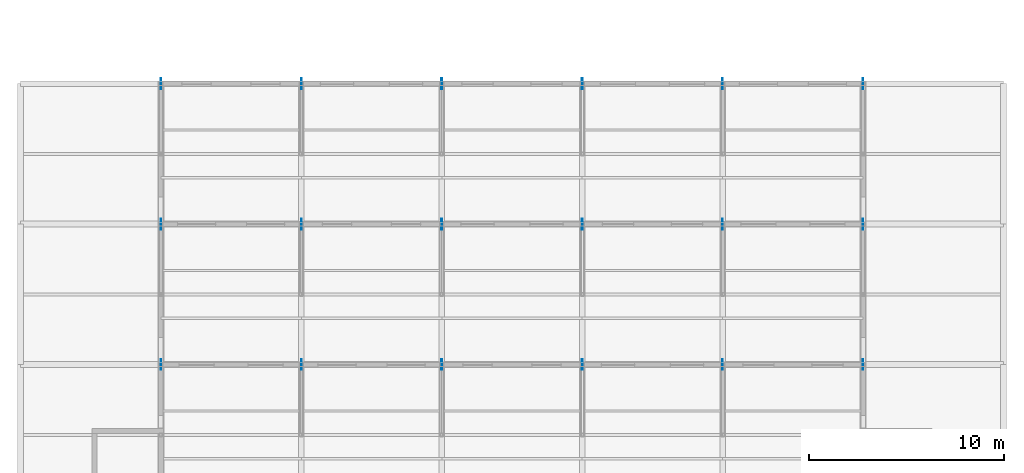
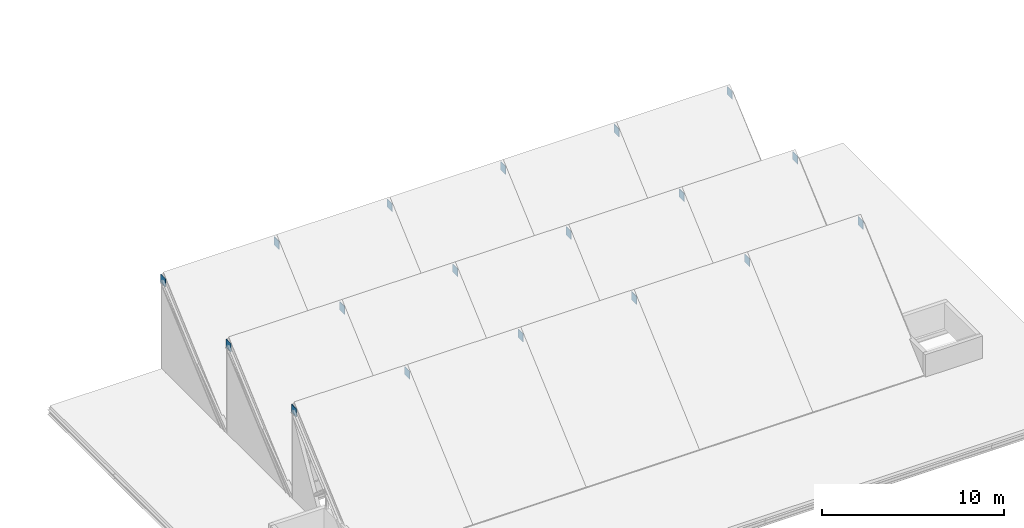
# One storey, part 20 of 31: 18 plates.
"""IFC4 building model written with IfcOpenShell, lengths in metres."""

from ifc_helpers import new_model, si_unit, direction, frame, origin, origin_2d, place, context, subcontext, project, spatial, rectangle, extrude, material, layer, layer_set, type_object, element, save


model = new_model("IFC4")

# Units and contexts
model_context = context("Model", 3, precision=1e-05, world=origin(), true_north=direction((0.0, 1.0)))
body_context = subcontext(model_context, "Body", "Model", "MODEL_VIEW")
ifc_project = project(units=[si_unit("LENGTHUNIT", "METRE"), si_unit("AREAUNIT", "SQUARE_METRE"), si_unit("VOLUMEUNIT", "CUBIC_METRE"), si_unit("PLANEANGLEUNIT", "RADIAN"), si_unit("MASSUNIT", "GRAM", prefix="KILO")], contexts=[model_context])

# Site, building, storey
site_placement = place(None, origin())
site = spatial("IfcSite", under=ifc_project, at=site_placement, CompositionType="ELEMENT")
building_placement = place(site_placement, origin())
building = spatial("IfcBuilding", under=site, at=building_placement, Name="Zlatovets Crest Museum", CompositionType="ELEMENT")
storey_placement = place(building_placement, frame((0.0, 0.0, 25.199951171875)))
storey = spatial("IfcBuildingStorey", under=building, at=storey_placement, Name="L05", CompositionType="ELEMENT", Elevation=25.199951171875)

# Plates
ifc_material = material(Name="Structural steel S355J2", Category="steel")
ifc_layer = layer(ifc_material, 0.030029296875)
ifc_layer_set = layer_set([ifc_layer], Name="Structural steel S355J2")
plate_type = type_object("IfcPlateType", Name="Gusset_GP-02", PredefinedType="USERDEFINED", material=ifc_layer_set)
for number, where, z_axis, x_axis, name in (
    (1, (64.800048828125, 14.39990234375, 5.61083984375), (0.0, 0.0, 1.0), (1.0, 0.0, 0.0), "V2 Sawtooth Tooth 1 Apex Gusset"),
    (2, (64.800048828125, 21.60009765625, 5.61083984375), (0.0, 0.0, 1.0), (1.0, 0.0, 0.0), "V2 Sawtooth Tooth 2 Apex Gusset"),
    (3, (64.800048828125, 28.800048828125, 5.61083984375), (0.0, 0.0, 1.0), (1.0, 0.0, 0.0), "V2 Sawtooth Tooth 3 Apex Gusset"),
    (4, (72.0, 14.39990234375, 5.61083984375), (0.0, 0.0, 1.0), (1.0, 0.0, 0.0), "V2 Sawtooth Tooth 1 Apex Gusset"),
    (5, (72.0, 21.60009765625, 5.61083984375), (0.0, 0.0, 1.0), (1.0, 0.0, 0.0), "V2 Sawtooth Tooth 2 Apex Gusset"),
    (6, (72.0, 28.800048828125, 5.61083984375), (0.0, 0.0, 1.0), (1.0, 0.0, 0.0), "V2 Sawtooth Tooth 3 Apex Gusset"),
    (7, (79.199951171875, 14.39990234375, 5.61083984375), (0.0, 0.0, 1.0), (1.0, 0.0, 0.0), "V2 Sawtooth Tooth 1 Apex Gusset"),
    (8, (79.199951171875, 21.60009765625, 5.61083984375), (0.0, 0.0, 1.0), (1.0, 0.0, 0.0), "V2 Sawtooth Tooth 2 Apex Gusset"),
    (9, (79.199951171875, 28.800048828125, 5.61083984375), (0.0, 0.0, 1.0), (1.0, 0.0, 0.0), "V2 Sawtooth Tooth 3 Apex Gusset"),
    (10, (86.39990234375, 14.39990234375, 5.61083984375), (0.0, 0.0, 1.0), (1.0, 0.0, 0.0), "V2 Sawtooth Tooth 1 Apex Gusset"),
    (11, (86.39990234375, 21.60009765625, 5.61083984375), (0.0, 0.0, 1.0), (1.0, 0.0, 0.0), "V2 Sawtooth Tooth 2 Apex Gusset"),
    (12, (86.39990234375, 28.800048828125, 5.61083984375), (0.0, 0.0, 1.0), (1.0, 0.0, 0.0), "V2 Sawtooth Tooth 3 Apex Gusset"),
    (13, (93.60009765625, 14.39990234375, 5.61083984375), (0.0, 0.0, 1.0), (1.0, 0.0, 0.0), "V2 Sawtooth Tooth 1 Apex Gusset"),
    (14, (93.60009765625, 21.60009765625, 5.61083984375), (0.0, 0.0, 1.0), (1.0, 0.0, 0.0), "V2 Sawtooth Tooth 2 Apex Gusset"),
    (15, (93.60009765625, 28.800048828125, 5.61083984375), (0.0, 0.0, 1.0), (1.0, 0.0, 0.0), "V2 Sawtooth Tooth 3 Apex Gusset"),
    (16, (100.800048828125, 14.39990234375, 5.61083984375), (0.0, 0.0, 1.0), (1.0, 0.0, 0.0), "V2 Sawtooth Tooth 1 Apex Gusset"),
    (17, (100.800048828125, 21.60009765625, 5.61083984375), (0.0, 0.0, 1.0), (1.0, 0.0, 0.0), "V2 Sawtooth Tooth 2 Apex Gusset"),
    (18, (100.800048828125, 28.800048828125, 5.61083984375), (0.0, 0.0, 1.0), (1.0, 0.0, 0.0), "V2 Sawtooth Tooth 3 Apex Gusset"),
):
    element("IfcPlate", number, at=place(storey_placement, frame(where, z_axis=z_axis, x_axis=x_axis)), inside=storey, type_object=plate_type, Name=name, ObjectType="GUSSET", PredefinedType="USERDEFINED", context=body_context, shape_type="SweptSolid", body=[
        extrude(rectangle(XDim=0.030029296875, YDim=0.550048828125, at=origin_2d()), origin(), (0.0, 0.0, 1.0), 0.550048828125),
    ])

save(model, "model.ifc")
